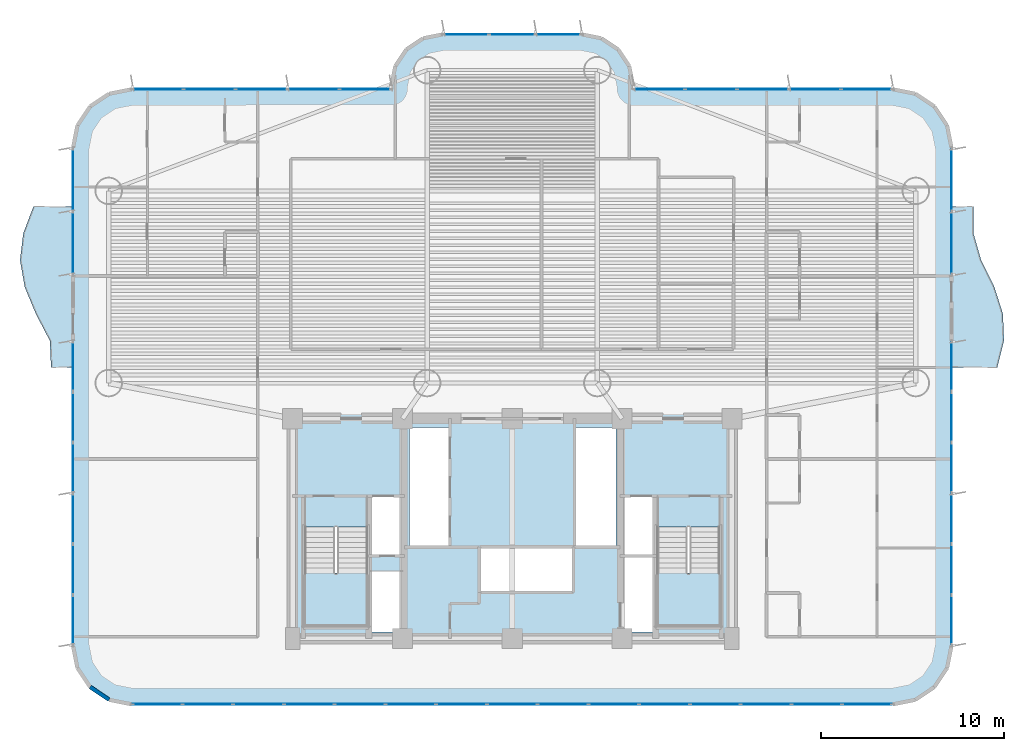
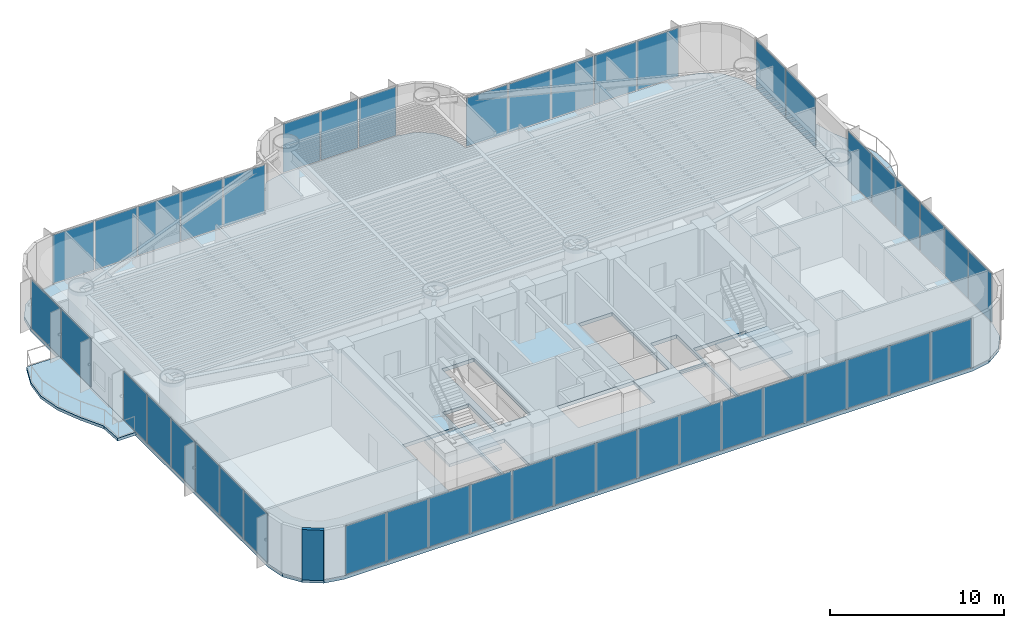
# One storey, part 9 of 18: 44 plates, 5 slabs, 1 wall, 10 elements without a shape of their own.
"""IFC4 building model written with IfcOpenShell, lengths in metres."""

from ifc_helpers import new_model, si_unit, direction, frame, frame_2d, origin, origin_2d, place, context, subcontext, project, spatial, polyline, rectangle, outline, extrude, source, transform, mapped, material, layer, layer_set, type_object, element, aggregate, save


model = new_model("IFC4")

# Units and contexts
model_context = context("Model", 3, precision=1e-05, world=origin(), true_north=direction((0.0, 1.0)))
body_context = subcontext(model_context, "Body", "Model", "MODEL_VIEW")
ifc_project = project(units=[si_unit("LENGTHUNIT", "METRE"), si_unit("AREAUNIT", "SQUARE_METRE"), si_unit("VOLUMEUNIT", "CUBIC_METRE"), si_unit("PLANEANGLEUNIT", "RADIAN"), si_unit("MASSUNIT", "GRAM", prefix="KILO")], contexts=[model_context])

# Site, building, storey
site_placement = place(None, origin())
site = spatial("IfcSite", under=ifc_project, at=site_placement, CompositionType="ELEMENT")
building_placement = place(site_placement, origin())
building = spatial("IfcBuilding", under=site, at=building_placement, Name="Brelvock Crest Care Tower", CompositionType="ELEMENT")
storey_placement = place(building_placement, frame((0.0, 0.0, 72.360107421875)))
storey = spatial("IfcBuildingStorey", under=building, at=storey_placement, Name="L18", CompositionType="ELEMENT", Elevation=72.360107421875)

# Slabs
ifc_material_1 = material(Name="Concrete N50 (50 MPa)", Category="concrete")
ifc_layer_1 = layer(ifc_material_1, 0.25, Name="SLB-FL3")
ifc_layer_set_1 = layer_set([ifc_layer_1], Name="Concrete N50 (50 MPa)")
slab_type_1 = type_object("IfcSlabType", Name="SLB-FL3", PredefinedType="FLOOR", material=ifc_layer_set_1)
slab_1_placement = place(storey_placement, frame((0.0, 0.0, -0.25)))
element("IfcSlab", 1, at=slab_1_placement, inside=storey, type_object=slab_type_1, Name="L18 Main Structural Slab", PredefinedType="FLOOR", context=body_context, shape_type="SweptSolid", body=[
    extrude(outline(polyline([(56.800048828125, 36.0), (42.60009765625, 36.0), (42.60009765625, 36.199951171875), (42.386962890625, 37.271484375), (41.77978515625, 38.179931640625), (40.87158203125, 38.786865234375), (39.800048828125, 39.0), (32.199951171875, 39.0), (31.12841796875, 38.786865234375), (30.22021484375, 38.179931640625), (29.613037109375, 37.271484375), (29.39990234375, 36.199951171875), (29.39990234375, 36.0), (15.199951171875, 36.0), (13.975341796875, 35.75634765625), (12.937255859375, 35.062744140625), (12.24365234375, 34.024658203125), (12.0, 32.800048828125), (12.0, 5.60009765625), (12.24365234375, 4.37548828125), (12.937255859375, 3.33740234375), (13.975341796875, 2.6435546875), (15.199951171875, 2.39990234375), (56.800048828125, 2.39990234375), (58.024658203125, 2.6435546875), (59.062744140625, 3.33740234375), (59.75634765625, 4.37548828125), (60.0, 5.60009765625), (60.0, 32.800048828125), (59.75634765625, 34.024658203125), (59.062744140625, 35.062744140625), (58.024658203125, 35.75634765625), (56.800048828125, 36.0)]), holes=[polyline([(28.239990234375, 10.580078125), (29.97998046875, 10.580078125), (29.97998046875, 13.739990234375), (28.239990234375, 13.739990234375), (28.239990234375, 10.580078125)]), polyline([(42.02001953125, 10.580078125), (43.760009765625, 10.580078125), (43.760009765625, 13.739990234375), (42.02001953125, 13.739990234375), (42.02001953125, 10.580078125)]), polyline([(28.239990234375, 6.340087890625), (29.97998046875, 6.340087890625), (29.97998046875, 9.64990234375), (28.239990234375, 9.64990234375), (28.239990234375, 6.340087890625)]), polyline([(24.6298828125, 12.080078125), (24.6298828125, 6.699951171875), (28.110107421875, 6.699951171875), (28.110107421875, 12.080078125), (24.6298828125, 12.080078125)]), polyline([(43.889892578125, 12.080078125), (43.889892578125, 6.699951171875), (47.3701171875, 6.699951171875), (47.3701171875, 12.080078125), (43.889892578125, 12.080078125)]), polyline([(42.02001953125, 6.340087890625), (43.760009765625, 6.340087890625), (43.760009765625, 10.5), (42.02001953125, 10.5), (42.02001953125, 6.340087890625)]), polyline([(30.3798828125, 11.030029296875), (32.52001953125, 11.030029296875), (32.52001953125, 17.52001953125), (30.3798828125, 17.52001953125), (30.3798828125, 11.030029296875)]), polyline([(34.22998046875, 8.530029296875), (39.320068359375, 8.530029296875), (39.320068359375, 10.969970703125), (34.22998046875, 10.969970703125), (34.22998046875, 8.530029296875)]), polyline([(39.429931640625, 11.030029296875), (41.669921875, 11.030029296875), (41.669921875, 17.52001953125), (39.429931640625, 17.52001953125), (39.429931640625, 11.030029296875)])]), origin(), (0.0, 0.0, 1.0), 0.25),
])
ifc_layer_2 = layer(ifc_material_1, 0.199951171875, Name="SLB-WB2")
ifc_layer_set_2 = layer_set([ifc_layer_2], Name="Concrete N50 (50 MPa)")
slab_type_2 = type_object("IfcSlabType", Name="SLB-WB2", PredefinedType="FLOOR", material=ifc_layer_set_2)
slab_2_placement = place(storey_placement, frame((0.0, 0.0, -0.2001953125)))
element("IfcSlab", 2, at=slab_2_placement, inside=storey, type_object=slab_type_2, Name="L18 W Sinusoidal Wave Balcony Slab", PredefinedType="FLOOR", context=body_context, shape_type="SweptSolid", body=[
    extrude(outline(polyline([(12.0, 29.60009765625), (9.837158203125, 29.60009765625), (9.281005859375, 28.13330078125), (9.101806640625, 26.666748046875), (9.35791015625, 25.199951171875), (9.96630859375, 23.7333984375), (10.730712890625, 22.2666015625), (10.800048828125, 20.800048828125), (12.0, 20.800048828125), (12.0, 29.60009765625)])), origin(), (0.0, 0.0, 1.0), 0.2001953125),
])
slab_3_placement = place(storey_placement, frame((0.0, 0.0, -0.2001953125)))
element("IfcSlab", 3, at=slab_3_placement, inside=storey, type_object=slab_type_2, Name="L18 E Sinusoidal Wave Balcony Slab", PredefinedType="FLOOR", context=body_context, shape_type="SweptSolid", body=[
    extrude(outline(polyline([(60.0, 20.800048828125), (62.504638671875, 20.800048828125), (62.87060546875, 22.2666015625), (62.810302734375, 23.7333984375), (62.343505859375, 25.199951171875), (61.62060546875, 26.666748046875), (61.199951171875, 28.13330078125), (61.199951171875, 29.60009765625), (60.0, 29.60009765625), (60.0, 20.800048828125)])), origin(), (0.0, 0.0, 1.0), 0.2001953125),
])

# Stair, slab
ifc_material_2 = material(Name="Concrete N40 (40 MPa)", Category="concrete")
stair_type = type_object("IfcStairType", Name="ST-CORE1", PredefinedType="HALF_TURN_STAIR", material=ifc_material_2)
stair_1_placement = place(storey_placement, origin())
stair_1 = element("IfcStair", 4, at=stair_1_placement, inside=storey, type_object=stair_type, Name="L18 Fire-Isolated Core Stair ST-1", PredefinedType="HALF_TURN_STAIR")
ifc_layer_3 = layer(ifc_material_2, 0.199951171875, Name="STL-1")
ifc_layer_set_3 = layer_set([ifc_layer_3], Name="Concrete N40 (40 MPa)")
slab_type_3 = type_object("IfcSlabType", Name="STL-1", PredefinedType="LANDING", material=ifc_layer_set_3)
slab_4_placement = place(storey_placement, frame((0.0, 0.0, 1.68994140625)))
slab_4 = element("IfcSlab", 5, at=slab_4_placement, type_object=slab_type_3, Name="ST-1 landing 1", PredefinedType="LANDING", context=body_context, shape_type="SweptSolid", body=[
    extrude(outline(polyline([(24.6298828125, 9.56005859375), (24.6298828125, 6.699951171875), (28.110107421875, 6.699951171875), (28.110107421875, 9.56005859375), (24.6298828125, 9.56005859375)])), origin(), (0.0, 0.0, 1.0), 0.199951171875),
])
aggregate(stair_1, [slab_4])

stair_2_placement = place(storey_placement, origin())
stair_2 = element("IfcStair", 6, at=stair_2_placement, inside=storey, type_object=stair_type, Name="L18 Fire-Isolated Core Stair ST-2", PredefinedType="HALF_TURN_STAIR")
slab_5_placement = place(storey_placement, frame((0.0, 0.0, 1.68994140625)))
slab_5 = element("IfcSlab", 7, at=slab_5_placement, type_object=slab_type_3, Name="ST-2 landing 1", PredefinedType="LANDING", context=body_context, shape_type="SweptSolid", body=[
    extrude(outline(polyline([(43.889892578125, 9.56005859375), (43.889892578125, 6.699951171875), (47.3701171875, 6.699951171875), (47.3701171875, 9.56005859375), (43.889892578125, 9.56005859375)])), origin(), (0.0, 0.0, 1.0), 0.199951171875),
])
aggregate(stair_2, [slab_5])

# Curtain wall, plates
ifc_material_3 = material(Name="Dark Glass Double Glazed Low-E", Category="glass")
ifc_layer_4 = layer(ifc_material_3, 0.195068359375, Name="CWS-2")
ifc_layer_set_4 = layer_set([ifc_layer_4], Name="Dark Glass Double Glazed Low-E")
curtain_wall_type = type_object("IfcCurtainWallType", Name="CWS-2", PredefinedType="NOTDEFINED", material=ifc_layer_set_4)
curtain_wall_1_placement = place(storey_placement, origin())
curtain_wall_1 = element("IfcCurtainWall", 8, at=curtain_wall_1_placement, inside=storey, type_object=curtain_wall_type, Name="L18 Curtain Wall E08", PredefinedType="NOTDEFINED")
ifc_layer_5 = layer(ifc_material_3, 0.031982421875, Name="CWP-V1")
ifc_layer_set_5 = layer_set([ifc_layer_5], Name="Dark Glass Double Glazed Low-E")
plate_type = type_object("IfcPlateType", Name="CWP-V1", PredefinedType="CURTAIN_PANEL", material=ifc_layer_set_5)
shared_shape_1 = source(origin(), body_context, "Body", "SweptSolid", [
    extrude(rectangle(XDim=2.67578125, YDim=0.035888671875, at=origin_2d()), origin(), (0.0, 0.0, 1.0), 3.39990234375),
])
plate_1_placement = place(storey_placement, frame((55.39697265625, 2.39990234375, 0.06494140625), z_axis=(0.0, 0.0, 1.0), x_axis=(-1.0, 0.0, 0.0)))
plate_1 = element("IfcPlate", 9, at=plate_1_placement, type_object=plate_type, Name="CW-2 panel 1.1", PredefinedType="CURTAIN_PANEL", context=body_context, shape_type="MappedRepresentation", body=[
    mapped(shared_shape_1, transform((0.0, 0.0, 0.0), x_axis=(1.0, 0.0, 0.0), y_axis=(0.0, 1.0, 0.0), z_axis=(0.0, 0.0, 1.0), scale=1.0)),
])
plate_2_placement = place(storey_placement, frame((16.60302734375, 2.39990234375, 0.06494140625), z_axis=(0.0, 0.0, 1.0), x_axis=(-1.0, 0.0, 0.0)))
plate_2 = element("IfcPlate", 10, at=plate_2_placement, type_object=plate_type, Name="CW-2 panel 15.1", PredefinedType="CURTAIN_PANEL", context=body_context, shape_type="MappedRepresentation", body=[
    mapped(shared_shape_1, transform((0.0, 0.0, 0.0), x_axis=(1.0, 0.0, 0.0), y_axis=(0.0, 1.0, 0.0), z_axis=(0.0, 0.0, 1.0), scale=1.0)),
])
shared_shape_2 = source(origin(), body_context, "Body", "SweptSolid", [
    extrude(rectangle(XDim=2.708251953125, YDim=0.035888671875, at=origin_2d()), origin(), (0.0, 0.0, 1.0), 3.39990234375),
])
plate_3_placement = place(storey_placement, frame((52.639892578125, 2.39990234375, 0.06494140625), z_axis=(0.0, 0.0, 1.0), x_axis=(-1.0, 0.0, 0.0)))
plate_3 = element("IfcPlate", 11, at=plate_3_placement, type_object=plate_type, Name="CW-2 panel 2.1", PredefinedType="CURTAIN_PANEL", context=body_context, shape_type="MappedRepresentation", body=[
    mapped(shared_shape_2, transform((0.0, 0.0, 0.0), x_axis=(1.0, 0.0, 0.0), y_axis=(0.0, 1.0, 0.0), z_axis=(0.0, 0.0, 1.0), scale=1.0)),
])
plate_4_placement = place(storey_placement, frame((49.86669921875, 2.39990234375, 0.06494140625), z_axis=(0.0, 0.0, 1.0), x_axis=(-1.0, 0.0, 0.0)))
plate_4 = element("IfcPlate", 12, at=plate_4_placement, type_object=plate_type, Name="CW-2 panel 3.1", PredefinedType="CURTAIN_PANEL", context=body_context, shape_type="MappedRepresentation", body=[
    mapped(shared_shape_2, transform((0.0, 0.0, 0.0), x_axis=(1.0, 0.0, 0.0), y_axis=(0.0, 1.0, 0.0), z_axis=(0.0, 0.0, 1.0), scale=1.0)),
])
plate_5_placement = place(storey_placement, frame((47.09326171875, 2.39990234375, 0.06494140625), z_axis=(0.0, 0.0, 1.0), x_axis=(-1.0, 0.0, 0.0)))
plate_5 = element("IfcPlate", 13, at=plate_5_placement, type_object=plate_type, Name="CW-2 panel 4.1", PredefinedType="CURTAIN_PANEL", context=body_context, shape_type="MappedRepresentation", body=[
    mapped(shared_shape_2, transform((0.0, 0.0, 0.0), x_axis=(1.0, 0.0, 0.0), y_axis=(0.0, 1.0, 0.0), z_axis=(0.0, 0.0, 1.0), scale=1.0)),
])
plate_6_placement = place(storey_placement, frame((44.320068359375, 2.39990234375, 0.06494140625), z_axis=(0.0, 0.0, 1.0), x_axis=(-1.0, 0.0, 0.0)))
plate_6 = element("IfcPlate", 14, at=plate_6_placement, type_object=plate_type, Name="CW-2 panel 5.1", PredefinedType="CURTAIN_PANEL", context=body_context, shape_type="MappedRepresentation", body=[
    mapped(shared_shape_2, transform((0.0, 0.0, 0.0), x_axis=(1.0, 0.0, 0.0), y_axis=(0.0, 1.0, 0.0), z_axis=(0.0, 0.0, 1.0), scale=1.0)),
])
plate_7_placement = place(storey_placement, frame((41.546630859375, 2.39990234375, 0.06494140625), z_axis=(0.0, 0.0, 1.0), x_axis=(-1.0, 0.0, 0.0)))
plate_7 = element("IfcPlate", 15, at=plate_7_placement, type_object=plate_type, Name="CW-2 panel 6.1", PredefinedType="CURTAIN_PANEL", context=body_context, shape_type="MappedRepresentation", body=[
    mapped(shared_shape_2, transform((0.0, 0.0, 0.0), x_axis=(1.0, 0.0, 0.0), y_axis=(0.0, 1.0, 0.0), z_axis=(0.0, 0.0, 1.0), scale=1.0)),
])
plate_8_placement = place(storey_placement, frame((38.7734375, 2.39990234375, 0.06494140625), z_axis=(0.0, 0.0, 1.0), x_axis=(-1.0, 0.0, 0.0)))
plate_8 = element("IfcPlate", 16, at=plate_8_placement, type_object=plate_type, Name="CW-2 panel 7.1", PredefinedType="CURTAIN_PANEL", context=body_context, shape_type="MappedRepresentation", body=[
    mapped(shared_shape_2, transform((0.0, 0.0, 0.0), x_axis=(1.0, 0.0, 0.0), y_axis=(0.0, 1.0, 0.0), z_axis=(0.0, 0.0, 1.0), scale=1.0)),
])
plate_9_placement = place(storey_placement, frame((36.0, 2.39990234375, 0.06494140625), z_axis=(0.0, 0.0, 1.0), x_axis=(-1.0, 0.0, 0.0)))
plate_9 = element("IfcPlate", 17, at=plate_9_placement, type_object=plate_type, Name="CW-2 panel 8.1", PredefinedType="CURTAIN_PANEL", context=body_context, shape_type="MappedRepresentation", body=[
    mapped(shared_shape_2, transform((0.0, 0.0, 0.0), x_axis=(1.0, 0.0, 0.0), y_axis=(0.0, 1.0, 0.0), z_axis=(0.0, 0.0, 1.0), scale=1.0)),
])
plate_10_placement = place(storey_placement, frame((33.2265625, 2.39990234375, 0.06494140625), z_axis=(0.0, 0.0, 1.0), x_axis=(-1.0, 0.0, 0.0)))
plate_10 = element("IfcPlate", 18, at=plate_10_placement, type_object=plate_type, Name="CW-2 panel 9.1", PredefinedType="CURTAIN_PANEL", context=body_context, shape_type="MappedRepresentation", body=[
    mapped(shared_shape_2, transform((0.0, 0.0, 0.0), x_axis=(1.0, 0.0, 0.0), y_axis=(0.0, 1.0, 0.0), z_axis=(0.0, 0.0, 1.0), scale=1.0)),
])
plate_11_placement = place(storey_placement, frame((30.453369140625, 2.39990234375, 0.06494140625), z_axis=(0.0, 0.0, 1.0), x_axis=(-1.0, 0.0, 0.0)))
plate_11 = element("IfcPlate", 19, at=plate_11_placement, type_object=plate_type, Name="CW-2 panel 10.1", PredefinedType="CURTAIN_PANEL", context=body_context, shape_type="MappedRepresentation", body=[
    mapped(shared_shape_2, transform((0.0, 0.0, 0.0), x_axis=(1.0, 0.0, 0.0), y_axis=(0.0, 1.0, 0.0), z_axis=(0.0, 0.0, 1.0), scale=1.0)),
])
plate_12_placement = place(storey_placement, frame((27.679931640625, 2.39990234375, 0.06494140625), z_axis=(0.0, 0.0, 1.0), x_axis=(-1.0, 0.0, 0.0)))
plate_12 = element("IfcPlate", 20, at=plate_12_placement, type_object=plate_type, Name="CW-2 panel 11.1", PredefinedType="CURTAIN_PANEL", context=body_context, shape_type="MappedRepresentation", body=[
    mapped(shared_shape_2, transform((0.0, 0.0, 0.0), x_axis=(1.0, 0.0, 0.0), y_axis=(0.0, 1.0, 0.0), z_axis=(0.0, 0.0, 1.0), scale=1.0)),
])
plate_13_placement = place(storey_placement, frame((24.90673828125, 2.39990234375, 0.06494140625), z_axis=(0.0, 0.0, 1.0), x_axis=(-1.0, 0.0, 0.0)))
plate_13 = element("IfcPlate", 21, at=plate_13_placement, type_object=plate_type, Name="CW-2 panel 12.1", PredefinedType="CURTAIN_PANEL", context=body_context, shape_type="MappedRepresentation", body=[
    mapped(shared_shape_2, transform((0.0, 0.0, 0.0), x_axis=(1.0, 0.0, 0.0), y_axis=(0.0, 1.0, 0.0), z_axis=(0.0, 0.0, 1.0), scale=1.0)),
])
plate_14_placement = place(storey_placement, frame((22.13330078125, 2.39990234375, 0.06494140625), z_axis=(0.0, 0.0, 1.0), x_axis=(-1.0, 0.0, 0.0)))
plate_14 = element("IfcPlate", 22, at=plate_14_placement, type_object=plate_type, Name="CW-2 panel 13.1", PredefinedType="CURTAIN_PANEL", context=body_context, shape_type="MappedRepresentation", body=[
    mapped(shared_shape_2, transform((0.0, 0.0, 0.0), x_axis=(1.0, 0.0, 0.0), y_axis=(0.0, 1.0, 0.0), z_axis=(0.0, 0.0, 1.0), scale=1.0)),
])
plate_15_placement = place(storey_placement, frame((19.360107421875, 2.39990234375, 0.06494140625), z_axis=(0.0, 0.0, 1.0), x_axis=(-1.0, 0.0, 0.0)))
plate_15 = element("IfcPlate", 23, at=plate_15_placement, type_object=plate_type, Name="CW-2 panel 14.1", PredefinedType="CURTAIN_PANEL", context=body_context, shape_type="MappedRepresentation", body=[
    mapped(shared_shape_2, transform((0.0, 0.0, 0.0), x_axis=(1.0, 0.0, 0.0), y_axis=(0.0, 1.0, 0.0), z_axis=(0.0, 0.0, 1.0), scale=1.0)),
])
aggregate(curtain_wall_1, [plate_1, plate_3, plate_4, plate_5, plate_6, plate_7, plate_8, plate_9, plate_10, plate_11, plate_12, plate_13, plate_14, plate_15, plate_2])

curtain_wall_2_placement = place(storey_placement, origin())
curtain_wall_2 = element("IfcCurtainWall", 24, at=curtain_wall_2_placement, inside=storey, type_object=curtain_wall_type, Name="L18 Curtain Wall E18", PredefinedType="NOTDEFINED")
shared_shape_3 = source(origin(), body_context, "Body", "SweptSolid", [
    extrude(rectangle(XDim=2.742431640625, YDim=0.035888671875, at=origin_2d()), origin(), (0.0, 0.0, 1.0), 3.39990234375),
])
plate_16_placement = place(storey_placement, frame((16.63623046875, 36.0, 0.06494140625), z_axis=(0.0, 0.0, 1.0), x_axis=(1.0, 0.0, 0.0)))
plate_16 = element("IfcPlate", 25, at=plate_16_placement, type_object=plate_type, Name="CW-2 panel 1.1", PredefinedType="CURTAIN_PANEL", context=body_context, shape_type="MappedRepresentation", body=[
    mapped(shared_shape_3, transform((0.0, 0.0, 0.0), x_axis=(1.0, 0.0, 0.0), y_axis=(0.0, 1.0, 0.0), z_axis=(0.0, 0.0, 1.0), scale=1.0)),
])
plate_17_placement = place(storey_placement, frame((27.9638671875, 36.0, 0.06494140625), z_axis=(0.0, 0.0, 1.0), x_axis=(1.0, 0.0, 0.0)))
plate_17 = element("IfcPlate", 26, at=plate_17_placement, type_object=plate_type, Name="CW-2 panel 5.1", PredefinedType="CURTAIN_PANEL", context=body_context, shape_type="MappedRepresentation", body=[
    mapped(shared_shape_3, transform((0.0, 0.0, 0.0), x_axis=(1.0, 0.0, 0.0), y_axis=(0.0, 1.0, 0.0), z_axis=(0.0, 0.0, 1.0), scale=1.0)),
])

curtain_wall_3_placement = place(storey_placement, origin())
curtain_wall_3 = element("IfcCurtainWall", 27, at=curtain_wall_3_placement, inside=storey, type_object=curtain_wall_type, Name="L18 Curtain Wall E30", PredefinedType="NOTDEFINED")
plate_18_placement = place(storey_placement, frame((44.0361328125, 36.0, 0.06494140625), z_axis=(0.0, 0.0, 1.0), x_axis=(1.0, 0.0, 0.0)))
plate_18 = element("IfcPlate", 28, at=plate_18_placement, type_object=plate_type, Name="CW-2 panel 1.1", PredefinedType="CURTAIN_PANEL", context=body_context, shape_type="MappedRepresentation", body=[
    mapped(shared_shape_3, transform((0.0, 0.0, 0.0), x_axis=(1.0, 0.0, 0.0), y_axis=(0.0, 1.0, 0.0), z_axis=(0.0, 0.0, 1.0), scale=1.0)),
])
plate_19_placement = place(storey_placement, frame((55.36376953125, 36.0, 0.06494140625), z_axis=(0.0, 0.0, 1.0), x_axis=(1.0, 0.0, 0.0)))
plate_19 = element("IfcPlate", 29, at=plate_19_placement, type_object=plate_type, Name="CW-2 panel 5.1", PredefinedType="CURTAIN_PANEL", context=body_context, shape_type="MappedRepresentation", body=[
    mapped(shared_shape_3, transform((0.0, 0.0, 0.0), x_axis=(1.0, 0.0, 0.0), y_axis=(0.0, 1.0, 0.0), z_axis=(0.0, 0.0, 1.0), scale=1.0)),
])

# Plate
shared_shape_4 = source(origin(), body_context, "Body", "SweptSolid", [
    extrude(rectangle(XDim=2.77490234375, YDim=0.035888671875, at=origin_2d()), origin(), (0.0, 0.0, 1.0), 3.39990234375),
])
plate_20_placement = place(storey_placement, frame((19.4599609375, 36.0, 0.06494140625), z_axis=(0.0, 0.0, 1.0), x_axis=(1.0, 0.0, 0.0)))
plate_20 = element("IfcPlate", 30, at=plate_20_placement, type_object=plate_type, Name="CW-2 panel 2.1", PredefinedType="CURTAIN_PANEL", context=body_context, shape_type="MappedRepresentation", body=[
    mapped(shared_shape_4, transform((0.0, 0.0, 0.0), x_axis=(1.0, 0.0, 0.0), y_axis=(0.0, 1.0, 0.0), z_axis=(0.0, 0.0, 1.0), scale=1.0)),
])

plate_21_placement = place(storey_placement, frame((22.300048828125, 36.0, 0.06494140625), z_axis=(0.0, 0.0, 1.0), x_axis=(1.0, 0.0, 0.0)))
plate_21 = element("IfcPlate", 31, at=plate_21_placement, type_object=plate_type, Name="CW-2 panel 3.1", PredefinedType="CURTAIN_PANEL", context=body_context, shape_type="MappedRepresentation", body=[
    mapped(shared_shape_4, transform((0.0, 0.0, 0.0), x_axis=(1.0, 0.0, 0.0), y_axis=(0.0, 1.0, 0.0), z_axis=(0.0, 0.0, 1.0), scale=1.0)),
])

plate_22_placement = place(storey_placement, frame((25.139892578125, 36.0, 0.06494140625), z_axis=(0.0, 0.0, 1.0), x_axis=(1.0, 0.0, 0.0)))
plate_22 = element("IfcPlate", 32, at=plate_22_placement, type_object=plate_type, Name="CW-2 panel 4.1", PredefinedType="CURTAIN_PANEL", context=body_context, shape_type="MappedRepresentation", body=[
    mapped(shared_shape_4, transform((0.0, 0.0, 0.0), x_axis=(1.0, 0.0, 0.0), y_axis=(0.0, 1.0, 0.0), z_axis=(0.0, 0.0, 1.0), scale=1.0)),
])

aggregate(curtain_wall_2, [plate_16, plate_20, plate_21, plate_22, plate_17])

plate_23_placement = place(storey_placement, frame((46.860107421875, 36.0, 0.06494140625), z_axis=(0.0, 0.0, 1.0), x_axis=(1.0, 0.0, 0.0)))
plate_23 = element("IfcPlate", 33, at=plate_23_placement, type_object=plate_type, Name="CW-2 panel 2.1", PredefinedType="CURTAIN_PANEL", context=body_context, shape_type="MappedRepresentation", body=[
    mapped(shared_shape_4, transform((0.0, 0.0, 0.0), x_axis=(1.0, 0.0, 0.0), y_axis=(0.0, 1.0, 0.0), z_axis=(0.0, 0.0, 1.0), scale=1.0)),
])

plate_24_placement = place(storey_placement, frame((49.699951171875, 36.0, 0.06494140625), z_axis=(0.0, 0.0, 1.0), x_axis=(1.0, 0.0, 0.0)))
plate_24 = element("IfcPlate", 34, at=plate_24_placement, type_object=plate_type, Name="CW-2 panel 3.1", PredefinedType="CURTAIN_PANEL", context=body_context, shape_type="MappedRepresentation", body=[
    mapped(shared_shape_4, transform((0.0, 0.0, 0.0), x_axis=(1.0, 0.0, 0.0), y_axis=(0.0, 1.0, 0.0), z_axis=(0.0, 0.0, 1.0), scale=1.0)),
])

plate_25_placement = place(storey_placement, frame((52.5400390625, 36.0, 0.06494140625), z_axis=(0.0, 0.0, 1.0), x_axis=(1.0, 0.0, 0.0)))
plate_25 = element("IfcPlate", 35, at=plate_25_placement, type_object=plate_type, Name="CW-2 panel 4.1", PredefinedType="CURTAIN_PANEL", context=body_context, shape_type="MappedRepresentation", body=[
    mapped(shared_shape_4, transform((0.0, 0.0, 0.0), x_axis=(1.0, 0.0, 0.0), y_axis=(0.0, 1.0, 0.0), z_axis=(0.0, 0.0, 1.0), scale=1.0)),
])

aggregate(curtain_wall_3, [plate_18, plate_23, plate_24, plate_25, plate_19])

# Curtain wall, plates
curtain_wall_4_placement = place(storey_placement, origin())
curtain_wall_4 = element("IfcCurtainWall", 36, at=curtain_wall_4_placement, inside=storey, type_object=curtain_wall_type, Name="L18 Curtain Wall E24", PredefinedType="NOTDEFINED")
shared_shape_5 = source(origin(), body_context, "Body", "SweptSolid", [
    extrude(rectangle(XDim=2.435791015625, YDim=0.035888671875, at=origin_2d()), origin(), (0.0, 0.0, 1.0), 3.39990234375),
])
plate_26_placement = place(storey_placement, frame((33.48291015625, 39.0, 0.06494140625), z_axis=(0.0, 0.0, 1.0), x_axis=(1.0, 0.0, 0.0)))
plate_26 = element("IfcPlate", 37, at=plate_26_placement, type_object=plate_type, Name="CW-2 panel 1.1", PredefinedType="CURTAIN_PANEL", context=body_context, shape_type="MappedRepresentation", body=[
    mapped(shared_shape_5, transform((0.0, 0.0, 0.0), x_axis=(1.0, 0.0, 0.0), y_axis=(0.0, 1.0, 0.0), z_axis=(0.0, 0.0, 1.0), scale=1.0)),
])
plate_27_placement = place(storey_placement, frame((38.51708984375, 39.0, 0.06494140625), z_axis=(0.0, 0.0, 1.0), x_axis=(1.0, 0.0, 0.0)))
plate_27 = element("IfcPlate", 38, at=plate_27_placement, type_object=plate_type, Name="CW-2 panel 3.1", PredefinedType="CURTAIN_PANEL", context=body_context, shape_type="MappedRepresentation", body=[
    mapped(shared_shape_5, transform((0.0, 0.0, 0.0), x_axis=(1.0, 0.0, 0.0), y_axis=(0.0, 1.0, 0.0), z_axis=(0.0, 0.0, 1.0), scale=1.0)),
])
shared_shape_6 = source(origin(), body_context, "Body", "SweptSolid", [
    extrude(rectangle(XDim=2.46826171875, YDim=0.035888671875, at=origin_2d()), origin(), (0.0, 0.0, 1.0), 3.39990234375),
])
plate_28_placement = place(storey_placement, frame((36.0, 39.0, 0.06494140625), z_axis=(0.0, 0.0, 1.0), x_axis=(1.0, 0.0, 0.0)))
plate_28 = element("IfcPlate", 39, at=plate_28_placement, type_object=plate_type, Name="CW-2 panel 2.1", PredefinedType="CURTAIN_PANEL", context=body_context, shape_type="MappedRepresentation", body=[
    mapped(shared_shape_6, transform((0.0, 0.0, 0.0), x_axis=(1.0, 0.0, 0.0), y_axis=(0.0, 1.0, 0.0), z_axis=(0.0, 0.0, 1.0), scale=1.0)),
])
aggregate(curtain_wall_4, [plate_26, plate_28, plate_27])

curtain_wall_5_placement = place(storey_placement, origin())
curtain_wall_5 = element("IfcCurtainWall", 40, at=curtain_wall_5_placement, inside=storey, type_object=curtain_wall_type, Name="L18 Curtain Wall E03A", PredefinedType="NOTDEFINED")
shared_shape_7 = source(origin(), body_context, "Body", "SweptSolid", [
    extrude(rectangle(XDim=3.37744140625, YDim=0.035888671875, at=origin_2d()), origin(), (0.0, 0.0, 1.0), 3.39990234375),
])
plate_29_placement = place(storey_placement, frame((60.0, 31.046142578125, 0.06494140625), z_axis=(0.0, 0.0, 1.0), x_axis=(0.0, -1.0, 0.0)))
plate_29 = element("IfcPlate", 41, at=plate_29_placement, type_object=plate_type, Name="CW-2 panel 1.1", PredefinedType="CURTAIN_PANEL", context=body_context, shape_type="MappedRepresentation", body=[
    mapped(shared_shape_7, transform((0.0, 0.0, 0.0), x_axis=(1.0, 0.0, 0.0), y_axis=(0.0, 1.0, 0.0), z_axis=(0.0, 0.0, 1.0), scale=1.0)),
])
plate_30_placement = place(storey_placement, frame((60.0, 27.603759765625, 0.06494140625), z_axis=(0.0, 0.0, 1.0), x_axis=(0.0, -1.0, 0.0)))
plate_30 = element("IfcPlate", 42, at=plate_30_placement, type_object=plate_type, Name="CW-2 panel 2.1", PredefinedType="CURTAIN_PANEL", context=body_context, shape_type="MappedRepresentation", body=[
    mapped(shared_shape_7, transform((0.0, 0.0, 0.0), x_axis=(1.0, 0.0, 0.0), y_axis=(0.0, 1.0, 0.0), z_axis=(0.0, 0.0, 1.0), scale=1.0)),
])
aggregate(curtain_wall_5, [plate_29, plate_30])

curtain_wall_6_placement = place(storey_placement, origin())
curtain_wall_6 = element("IfcCurtainWall", 43, at=curtain_wall_6_placement, inside=storey, type_object=curtain_wall_type, Name="L18 Curtain Wall E13B", PredefinedType="NOTDEFINED")
plate_31_placement = place(storey_placement, frame((12.0, 27.603759765625, 0.06494140625), z_axis=(0.0, 0.0, 1.0), x_axis=(0.0, 1.0, 0.0)))
plate_31 = element("IfcPlate", 44, at=plate_31_placement, type_object=plate_type, Name="CW-2 panel 1.1", PredefinedType="CURTAIN_PANEL", context=body_context, shape_type="MappedRepresentation", body=[
    mapped(shared_shape_7, transform((0.0, 0.0, 0.0), x_axis=(1.0, 0.0, 0.0), y_axis=(0.0, 1.0, 0.0), z_axis=(0.0, 0.0, 1.0), scale=1.0)),
])
plate_32_placement = place(storey_placement, frame((12.0, 31.046142578125, 0.06494140625), z_axis=(0.0, 0.0, 1.0), x_axis=(0.0, 1.0, 0.0)))
plate_32 = element("IfcPlate", 45, at=plate_32_placement, type_object=plate_type, Name="CW-2 panel 2.1", PredefinedType="CURTAIN_PANEL", context=body_context, shape_type="MappedRepresentation", body=[
    mapped(shared_shape_7, transform((0.0, 0.0, 0.0), x_axis=(1.0, 0.0, 0.0), y_axis=(0.0, 1.0, 0.0), z_axis=(0.0, 0.0, 1.0), scale=1.0)),
])
aggregate(curtain_wall_6, [plate_31, plate_32])

curtain_wall_7_placement = place(storey_placement, origin())
curtain_wall_7 = element("IfcCurtainWall", 46, at=curtain_wall_7_placement, inside=storey, type_object=curtain_wall_type, Name="L18 Curtain Wall E03B", PredefinedType="NOTDEFINED")
shared_shape_8 = source(origin(), body_context, "Body", "SweptSolid", [
    extrude(rectangle(XDim=2.677490234375, YDim=0.035888671875, at=origin_2d()), origin(), (0.0, 0.0, 1.0), 3.39990234375),
])
plate_33_placement = place(storey_placement, frame((60.0, 20.84619140625, 0.06494140625), z_axis=(0.0, 0.0, 1.0), x_axis=(0.0, -1.0, 0.0)))
plate_33 = element("IfcPlate", 47, at=plate_33_placement, type_object=plate_type, Name="CW-2 panel 1.1", PredefinedType="CURTAIN_PANEL", context=body_context, shape_type="MappedRepresentation", body=[
    mapped(shared_shape_8, transform((0.0, 0.0, 0.0), x_axis=(1.0, 0.0, 0.0), y_axis=(0.0, 1.0, 0.0), z_axis=(0.0, 0.0, 1.0), scale=1.0)),
])
plate_34_placement = place(storey_placement, frame((60.0, 7.003662109375, 0.06494140625), z_axis=(0.0, 0.0, 1.0), x_axis=(0.0, -1.0, 0.0)))
plate_34 = element("IfcPlate", 48, at=plate_34_placement, type_object=plate_type, Name="CW-2 panel 6.1", PredefinedType="CURTAIN_PANEL", context=body_context, shape_type="MappedRepresentation", body=[
    mapped(shared_shape_8, transform((0.0, 0.0, 0.0), x_axis=(1.0, 0.0, 0.0), y_axis=(0.0, 1.0, 0.0), z_axis=(0.0, 0.0, 1.0), scale=1.0)),
])

curtain_wall_8_placement = place(storey_placement, origin())
curtain_wall_8 = element("IfcCurtainWall", 49, at=curtain_wall_8_placement, inside=storey, type_object=curtain_wall_type, Name="L18 Curtain Wall E13A", PredefinedType="NOTDEFINED")
plate_35_placement = place(storey_placement, frame((12.0, 7.003662109375, 0.06494140625), z_axis=(0.0, 0.0, 1.0), x_axis=(0.0, 1.0, 0.0)))
plate_35 = element("IfcPlate", 50, at=plate_35_placement, type_object=plate_type, Name="CW-2 panel 1.1", PredefinedType="CURTAIN_PANEL", context=body_context, shape_type="MappedRepresentation", body=[
    mapped(shared_shape_8, transform((0.0, 0.0, 0.0), x_axis=(1.0, 0.0, 0.0), y_axis=(0.0, 1.0, 0.0), z_axis=(0.0, 0.0, 1.0), scale=1.0)),
])
plate_36_placement = place(storey_placement, frame((12.0, 20.84619140625, 0.06494140625), z_axis=(0.0, 0.0, 1.0), x_axis=(0.0, 1.0, 0.0)))
plate_36 = element("IfcPlate", 51, at=plate_36_placement, type_object=plate_type, Name="CW-2 panel 6.1", PredefinedType="CURTAIN_PANEL", context=body_context, shape_type="MappedRepresentation", body=[
    mapped(shared_shape_8, transform((0.0, 0.0, 0.0), x_axis=(1.0, 0.0, 0.0), y_axis=(0.0, 1.0, 0.0), z_axis=(0.0, 0.0, 1.0), scale=1.0)),
])

# Plate
shared_shape_9 = source(origin(), body_context, "Body", "SweptSolid", [
    extrude(rectangle(XDim=2.7099609375, YDim=0.035888671875, at=origin_2d()), origin(), (0.0, 0.0, 1.0), 3.39990234375),
])
plate_37_placement = place(storey_placement, frame((60.0, 18.08740234375, 0.06494140625), z_axis=(0.0, 0.0, 1.0), x_axis=(0.0, -1.0, 0.0)))
plate_37 = element("IfcPlate", 52, at=plate_37_placement, type_object=plate_type, Name="CW-2 panel 2.1", PredefinedType="CURTAIN_PANEL", context=body_context, shape_type="MappedRepresentation", body=[
    mapped(shared_shape_9, transform((0.0, 0.0, 0.0), x_axis=(1.0, 0.0, 0.0), y_axis=(0.0, 1.0, 0.0), z_axis=(0.0, 0.0, 1.0), scale=1.0)),
])

plate_38_placement = place(storey_placement, frame((60.0, 15.3125, 0.06494140625), z_axis=(0.0, 0.0, 1.0), x_axis=(0.0, -1.0, 0.0)))
plate_38 = element("IfcPlate", 53, at=plate_38_placement, type_object=plate_type, Name="CW-2 panel 3.1", PredefinedType="CURTAIN_PANEL", context=body_context, shape_type="MappedRepresentation", body=[
    mapped(shared_shape_9, transform((0.0, 0.0, 0.0), x_axis=(1.0, 0.0, 0.0), y_axis=(0.0, 1.0, 0.0), z_axis=(0.0, 0.0, 1.0), scale=1.0)),
])

plate_39_placement = place(storey_placement, frame((60.0, 12.53759765625, 0.06494140625), z_axis=(0.0, 0.0, 1.0), x_axis=(0.0, -1.0, 0.0)))
plate_39 = element("IfcPlate", 54, at=plate_39_placement, type_object=plate_type, Name="CW-2 panel 4.1", PredefinedType="CURTAIN_PANEL", context=body_context, shape_type="MappedRepresentation", body=[
    mapped(shared_shape_9, transform((0.0, 0.0, 0.0), x_axis=(1.0, 0.0, 0.0), y_axis=(0.0, 1.0, 0.0), z_axis=(0.0, 0.0, 1.0), scale=1.0)),
])

plate_40_placement = place(storey_placement, frame((60.0, 9.762451171875, 0.06494140625), z_axis=(0.0, 0.0, 1.0), x_axis=(0.0, -1.0, 0.0)))
plate_40 = element("IfcPlate", 55, at=plate_40_placement, type_object=plate_type, Name="CW-2 panel 5.1", PredefinedType="CURTAIN_PANEL", context=body_context, shape_type="MappedRepresentation", body=[
    mapped(shared_shape_9, transform((0.0, 0.0, 0.0), x_axis=(1.0, 0.0, 0.0), y_axis=(0.0, 1.0, 0.0), z_axis=(0.0, 0.0, 1.0), scale=1.0)),
])

aggregate(curtain_wall_7, [plate_33, plate_37, plate_38, plate_39, plate_40, plate_34])

plate_41_placement = place(storey_placement, frame((12.0, 9.762451171875, 0.06494140625), z_axis=(0.0, 0.0, 1.0), x_axis=(0.0, 1.0, 0.0)))
plate_41 = element("IfcPlate", 56, at=plate_41_placement, type_object=plate_type, Name="CW-2 panel 2.1", PredefinedType="CURTAIN_PANEL", context=body_context, shape_type="MappedRepresentation", body=[
    mapped(shared_shape_9, transform((0.0, 0.0, 0.0), x_axis=(1.0, 0.0, 0.0), y_axis=(0.0, 1.0, 0.0), z_axis=(0.0, 0.0, 1.0), scale=1.0)),
])

plate_42_placement = place(storey_placement, frame((12.0, 12.53759765625, 0.06494140625), z_axis=(0.0, 0.0, 1.0), x_axis=(0.0, 1.0, 0.0)))
plate_42 = element("IfcPlate", 57, at=plate_42_placement, type_object=plate_type, Name="CW-2 panel 3.1", PredefinedType="CURTAIN_PANEL", context=body_context, shape_type="MappedRepresentation", body=[
    mapped(shared_shape_9, transform((0.0, 0.0, 0.0), x_axis=(1.0, 0.0, 0.0), y_axis=(0.0, 1.0, 0.0), z_axis=(0.0, 0.0, 1.0), scale=1.0)),
])

plate_43_placement = place(storey_placement, frame((12.0, 15.3125, 0.06494140625), z_axis=(0.0, 0.0, 1.0), x_axis=(0.0, 1.0, 0.0)))
plate_43 = element("IfcPlate", 58, at=plate_43_placement, type_object=plate_type, Name="CW-2 panel 4.1", PredefinedType="CURTAIN_PANEL", context=body_context, shape_type="MappedRepresentation", body=[
    mapped(shared_shape_9, transform((0.0, 0.0, 0.0), x_axis=(1.0, 0.0, 0.0), y_axis=(0.0, 1.0, 0.0), z_axis=(0.0, 0.0, 1.0), scale=1.0)),
])

plate_44_placement = place(storey_placement, frame((12.0, 18.08740234375, 0.06494140625), z_axis=(0.0, 0.0, 1.0), x_axis=(0.0, 1.0, 0.0)))
plate_44 = element("IfcPlate", 59, at=plate_44_placement, type_object=plate_type, Name="CW-2 panel 5.1", PredefinedType="CURTAIN_PANEL", context=body_context, shape_type="MappedRepresentation", body=[
    mapped(shared_shape_9, transform((0.0, 0.0, 0.0), x_axis=(1.0, 0.0, 0.0), y_axis=(0.0, 1.0, 0.0), z_axis=(0.0, 0.0, 1.0), scale=1.0)),
])

aggregate(curtain_wall_8, [plate_35, plate_41, plate_42, plate_43, plate_44, plate_36])

# Wall
ifc_material_4 = material(Name="Precast concrete N40 (40 MPa)", Category="concrete")
ifc_layer_6 = layer(ifc_material_4, 0.215087890625, Name="WL-EX2")
ifc_layer_set_6 = layer_set([ifc_layer_6], Name="Precast concrete N40 (40 MPa)")
wall_type = type_object("IfcWallType", Name="WL-EX2", PredefinedType="SOLIDWALL", material=ifc_layer_set_6)
wall_placement = place(storey_placement, frame((13.975341796875, 2.6435546875, 0.0), z_axis=(0.0, 0.0, 1.0), x_axis=(-0.831387912822, 0.555692485475, 0.0)))
element("IfcWall", 60, at=wall_placement, inside=storey, type_object=wall_type, Name="L18 Rounded Corner Wall 10", PredefinedType="SOLIDWALL", context=body_context, shape_type="SweptSolid", body=[
    extrude(rectangle(XDim=1.24853515625, YDim=0.215087890625, at=frame_2d((0.624267578125, 0.0))), origin(), (0.0, 0.0, 1.0), 3.52978515625),
])

save(model, "model.ifc")
